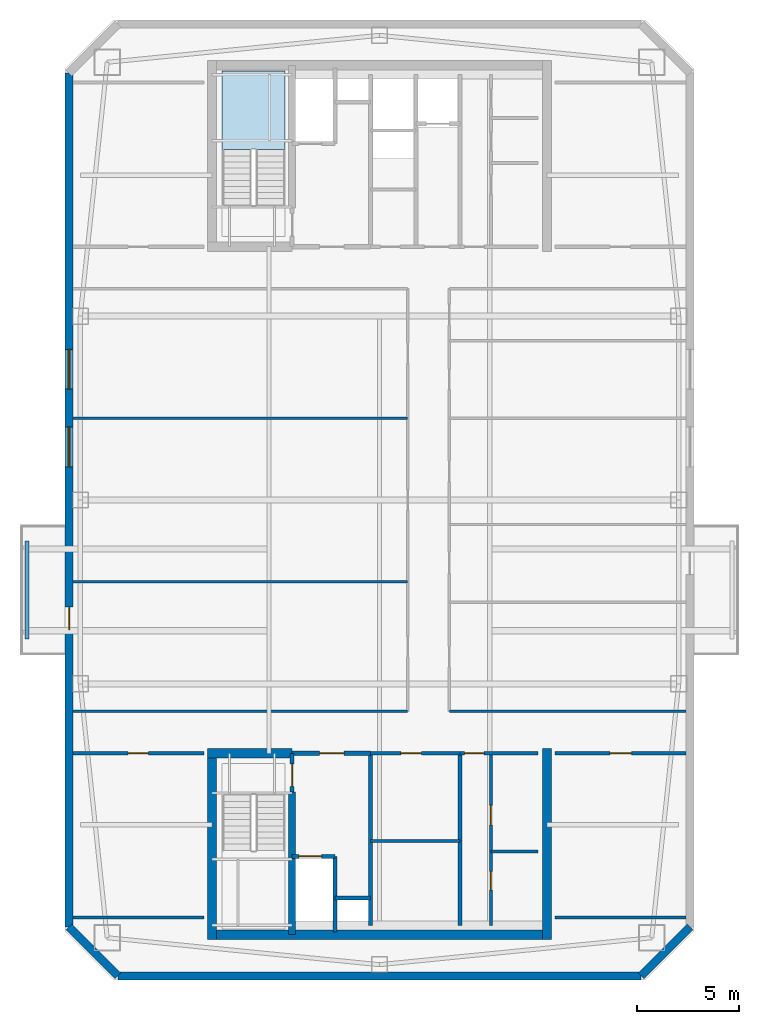
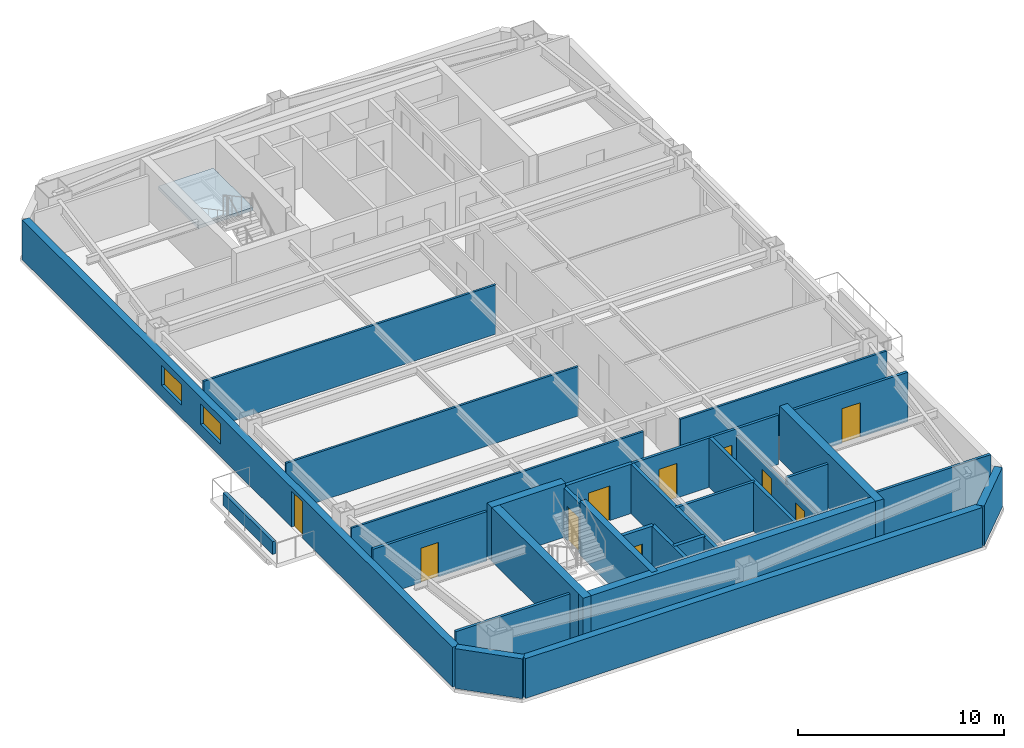
# One storey, part 2 of 6: 30 walls, 10 doors, 2 windows, 1 slab, 12 openings, 1 element without a shape of its own.
"""IFC4 building model written with IfcOpenShell, lengths in metres."""

from ifc_helpers import new_model, si_unit, direction, frame, frame_2d, origin, place, context, subcontext, project, spatial, polyline, rectangle, outline, extrude, material, layer, layer_set, type_object, element, fill, aggregate, save


model = new_model("IFC4")

# Units and contexts
model_context = context("Model", 3, precision=1e-05, world=origin(), true_north=direction((0.0, 1.0)))
body_context = subcontext(model_context, "Body", "Model", "MODEL_VIEW")
ifc_project = project(units=[si_unit("LENGTHUNIT", "METRE"), si_unit("AREAUNIT", "SQUARE_METRE"), si_unit("VOLUMEUNIT", "CUBIC_METRE"), si_unit("PLANEANGLEUNIT", "RADIAN"), si_unit("MASSUNIT", "GRAM", prefix="KILO")], contexts=[model_context])

# Site, building, storey
site_placement = place(None, origin())
site = spatial("IfcSite", under=ifc_project, at=site_placement, CompositionType="ELEMENT")
building_placement = place(site_placement, origin())
building = spatial("IfcBuilding", under=site, at=building_placement, Name="Qiaolan Cultural Towers", CompositionType="ELEMENT")
storey_placement = place(building_placement, frame((0.0, 0.0, 269.60009765625)))
storey = spatial("IfcBuildingStorey", under=building, at=storey_placement, Name="L74", CompositionType="ELEMENT", Elevation=269.60009765625)

# Stair, slab
ifc_material_1 = material(Name="Concrete C45", Category="concrete")
stair_type = type_object("IfcStairType", Name="STR-CORE-1500", PredefinedType="HALF_TURN_STAIR", material=ifc_material_1)
stair_placement = place(storey_placement, origin())
stair = element("IfcStair", 1, at=stair_placement, inside=storey, type_object=stair_type, Name="L74 Smokeproof Exit Stair ST-W2", PredefinedType="HALF_TURN_STAIR")
ifc_material_2 = material(Name="Concrete C45", Category="concrete")
ifc_layer_1 = layer(ifc_material_2, 0.199951171875)
ifc_layer_set_1 = layer_set([ifc_layer_1], Name="Concrete C45")
slab_type = type_object("IfcSlabType", Name="SL-STAIR-LAND", PredefinedType="LANDING", material=ifc_layer_set_1)
slab_placement = place(storey_placement, frame((0.0, 0.0, 1.39990234375)))
slab = element("IfcSlab", 2, at=slab_placement, type_object=slab_type, Name="ST-W2 landing 1", PredefinedType="LANDING", context=body_context, shape_type="SweptSolid", body=[
    extrude(outline(polyline([(25.3798828125, 51.148681640625), (25.3798828125, 55.0), (22.300048828125, 55.0), (22.300048828125, 51.148681640625), (25.3798828125, 51.148681640625)])), origin(), (0.0, 0.0, 1.0), 0.199951171875),
])
aggregate(stair, [slab])

# Walls
ifc_material_3 = material(Name="Concrete C50", Category="concrete")
ifc_layer_2 = layer(ifc_material_3, 0.35009765625)
ifc_layer_set_2 = layer_set([ifc_layer_2], Name="Concrete C50")
wall_type_1 = type_object("IfcWallType", Name="WL-CORE-350", PredefinedType="SHEAR", material=ifc_layer_set_2)
wall_1_placement = place(storey_placement, frame((25.719970703125, 19.699951171875, 0.0), z_axis=(0.0, 0.0, 1.0), x_axis=(0.0, -1.0, 0.0)))
element("IfcWall", 3, at=wall_1_placement, inside=storey, type_object=wall_type_1, Name="L74 T1-CS Stair Core Dividing Web", PredefinedType="SHEAR", context=body_context, shape_type="SweptSolid", body=[
    extrude(rectangle(XDim=6.97998046875, YDim=0.35009765625, at=frame_2d((3.489990234375, 0.0))), origin(), (0.0, 0.0, 1.0), 3.199951171875),
])
ifc_material_4 = material(Name="Concrete C50", Category="concrete")
ifc_layer_3 = layer(ifc_material_4, 0.449951171875)
ifc_layer_set_3 = layer_set([ifc_layer_3], Name="Concrete C50")
wall_type_2 = type_object("IfcWallType", Name="WL-CORE-450", PredefinedType="SHEAR", material=ifc_layer_set_3)
wall_2_placement = place(storey_placement, frame((21.574951171875, 12.719970703125, 0.0), z_axis=(0.0, 0.0, 1.0), x_axis=(1.0, 0.0, 0.0)))
element("IfcWall", 4, at=wall_2_placement, inside=storey, type_object=wall_type_2, Name="L74 T1-CS Outer Core Shear Wall", PredefinedType="SHEAR", context=body_context, shape_type="SweptSolid", body=[
    extrude(rectangle(XDim=16.85009765625, YDim=0.449951171875, at=frame_2d((8.425048828125, 0.0))), origin(), (0.0, 0.0, 1.0), 3.199951171875),
])
for number, where, z_axis, x_axis, name in (
    (5, (21.800048828125, 21.824951171875, 0.0), (0.0, 0.0, 1.0), (0.0, -1.0, 0.0), "L74 T1-CS West Core Shear Wall"),
    (6, (38.199951171875, 21.824951171875, 0.0), (0.0, 0.0, 1.0), (0.0, -1.0, 0.0), "L74 T1-CS East Core Shear Wall"),
):
    element("IfcWall", number, at=place(storey_placement, frame(where, z_axis=z_axis, x_axis=x_axis)), inside=storey, type_object=wall_type_2, Name=name, PredefinedType="SHEAR", context=body_context, shape_type="SweptSolid", body=[
        extrude(rectangle(XDim=9.329833984375, YDim=0.449951171875, at=frame_2d((4.6650390625, 0.0))), origin(), (0.0, 0.0, 1.0), 3.199951171875),
    ])
wall_3_placement = place(storey_placement, frame((21.574951171875, 21.60009765625, 0.0), z_axis=(0.0, 0.0, 1.0), x_axis=(1.0, 0.0, 0.0)))
element("IfcWall", 7, at=wall_3_placement, inside=storey, type_object=wall_type_2, Name="L74 T1-CS Stair Front Shear Wall", PredefinedType="SHEAR", context=body_context, shape_type="SweptSolid", body=[
    extrude(rectangle(XDim=4.14501953125, YDim=0.449951171875, at=frame_2d((2.072509765625, 0.0))), origin(), (0.0, 0.0, 1.0), 3.199951171875),
])

# Wall, openings, door, windows
ifc_material_5 = material(Name="Precast Concrete C50 Honed Stone Pier", Category="masonry")
ifc_layer_4 = layer(ifc_material_5, 0.39990234375)
ifc_layer_set_4 = layer_set([ifc_layer_4], Name="Precast Concrete C50 Honed Stone Pier")
wall_type_3 = type_object("IfcWallType", Name="WL-EXT-PIER-400", PredefinedType="SOLIDWALL", material=ifc_layer_set_4)
wall_4_placement = place(storey_placement, frame((14.800048828125, 13.10009765625, 0.0), z_axis=(0.0, 0.0, 1.0), x_axis=(0.0, 1.0, 0.0)))
wall_4 = element("IfcWall", 8, at=wall_4_placement, inside=storey, type_object=wall_type_3, Name="L74 West Tower Precast Pier Facade Wall F1", PredefinedType="SOLIDWALL", context=body_context, shape_type="SweptSolid", body=[
    extrude(rectangle(XDim=41.7998046875, YDim=0.39990234375, at=frame_2d((20.89990234375, 0.0))), origin(), (0.0, 0.0, 1.0), 2.35986328125),
])
opening_1_placement = place(wall_4_placement, frame((22.52490234375, 0.0, 0.75)))
opening_1 = element("IfcOpeningElement", 9, at=opening_1_placement, cuts=wall_4, Name="Opening W-06", PredefinedType="OPENING", context=body_context, shape_type="SweptSolid", body=[
    extrude(rectangle(XDim=1.949951171875, YDim=1.2099609375, at=frame_2d((0.97509765625, 0.60498046875))), frame((0.0, 0.2099609375, 0.0), z_axis=(0.0, -1.0, 0.0), x_axis=(1.0, 0.0, 0.0)), (0.0, 0.0, 1.0), 0.419921875),
])
opening_2_placement = place(wall_4_placement, frame((26.324951171875, 0.0, 0.75)))
opening_2 = element("IfcOpeningElement", 10, at=opening_2_placement, cuts=wall_4, Name="Opening W-06", PredefinedType="OPENING", context=body_context, shape_type="SweptSolid", body=[
    extrude(rectangle(XDim=1.949951171875, YDim=1.2099609375, at=frame_2d((0.97509765625, 0.60498046875))), frame((0.0, 0.2099609375, 0.0), z_axis=(0.0, -1.0, 0.0), x_axis=(1.0, 0.0, 0.0)), (0.0, 0.0, 1.0), 0.419921875),
])
opening_3_placement = place(wall_4_placement, frame((14.550048828125, 0.0, 0.0)))
opening_3 = element("IfcOpeningElement", 11, at=opening_3_placement, cuts=wall_4, Name="Opening BD-01", PredefinedType="OPENING", context=body_context, shape_type="SweptSolid", body=[
    extrude(rectangle(XDim=1.10009765625, YDim=2.14990234375, at=frame_2d((0.550048828125, 1.074951171875))), frame((0.0, 0.2099609375, 0.0), z_axis=(0.0, -1.0, 0.0), x_axis=(1.0, 0.0, 0.0)), (0.0, 0.0, 1.0), 0.419921875),
])
ifc_material_6 = material(Name="Thermally Broken Aluminium Glazed Terrace Door", Category="aluminium")
door_type_1 = type_object("IfcDoorType", Name="DR-BAL-1100", OperationType="NOTDEFINED", PredefinedType="DOOR", material=ifc_material_6)
door_1_placement = place(opening_3_placement, origin())
door_1 = element("IfcDoor", 12, at=door_1_placement, inside=storey, type_object=door_type_1, Name="L74 T1 West Tree Balcony Door", OperationType="SINGLE_SWING_LEFT", OverallHeight=2.14990234375, OverallWidth=1.10009765625, PredefinedType="DOOR", context=body_context, shape_type="SweptSolid", body=[
    extrude(rectangle(XDim=1.10009765625, YDim=2.14990234375, at=frame_2d((0.550048828125, 1.074951171875))), frame((0.0, 0.02490234375, 0.0), z_axis=(0.0, -1.0, 0.0), x_axis=(1.0, 0.0, 0.0)), (0.0, 0.0, 1.0), 0.050048828125),
])
fill(opening_3, door_1)
ifc_material_7 = material(Name="Thermally Broken Aluminium Triple Low-E Glazing", Category="aluminium")
window_type = type_object("IfcWindowType", Name="WN-CHIC-1950", PartitioningType="SINGLE_PANEL", PredefinedType="WINDOW", material=ifc_material_7)
window_1_placement = place(opening_1_placement, origin())
window_1 = element("IfcWindow", 13, at=window_1_placement, inside=storey, type_object=window_type, Name="L74 T1 W Chicago Bay Window 1", OverallHeight=1.2099609375, OverallWidth=1.949951171875, PartitioningType="TRIPLE_PANEL_VERTICAL", PredefinedType="WINDOW", context=body_context, shape_type="SweptSolid", body=[
    extrude(rectangle(XDim=1.949951171875, YDim=1.2099609375, at=frame_2d((0.97509765625, 0.60498046875))), frame((0.0, 0.030029296875, 0.0), z_axis=(0.0, -1.0, 0.0), x_axis=(1.0, 0.0, 0.0)), (0.0, 0.0, 1.0), 0.06005859375),
])
fill(opening_1, window_1)
window_2_placement = place(opening_2_placement, origin())
window_2 = element("IfcWindow", 14, at=window_2_placement, inside=storey, type_object=window_type, Name="L74 T1 W Chicago Bay Window 2", OverallHeight=1.2099609375, OverallWidth=1.949951171875, PartitioningType="TRIPLE_PANEL_VERTICAL", PredefinedType="WINDOW", context=body_context, shape_type="SweptSolid", body=[
    extrude(rectangle(XDim=1.949951171875, YDim=1.2099609375, at=frame_2d((0.97509765625, 0.60498046875))), frame((0.0, 0.030029296875, 0.0), z_axis=(0.0, -1.0, 0.0), x_axis=(1.0, 0.0, 0.0)), (0.0, 0.0, 1.0), 0.06005859375),
])
fill(opening_2, window_2)

# Walls
wall_5_placement = place(storey_placement, frame((45.199951171875, 13.10009765625, 0.0), z_axis=(0.0, 0.0, 1.0), x_axis=(-0.707070815327, -0.707142745217, 0.0)))
element("IfcWall", 15, at=wall_5_placement, inside=storey, type_object=wall_type_3, Name="L74 West Tower Precast Pier Facade Wall F6", PredefinedType="SOLIDWALL", context=body_context, shape_type="SweptSolid", body=[
    extrude(rectangle(XDim=3.39404296875, YDim=0.39990234375, at=frame_2d((1.697021484375, 0.0))), origin(), (0.0, 0.0, 1.0), 2.35986328125),
])
wall_6_placement = place(storey_placement, frame((42.800048828125, 10.699951171875, 0.0), z_axis=(0.0, 0.0, 1.0), x_axis=(-1.0, 0.0, 0.0)))
element("IfcWall", 16, at=wall_6_placement, inside=storey, type_object=wall_type_3, Name="L74 West Tower Precast Pier Facade Wall F7", PredefinedType="SOLIDWALL", context=body_context, shape_type="SweptSolid", body=[
    extrude(rectangle(XDim=25.60009765625, YDim=0.39990234375, at=frame_2d((12.800048828125, 0.0))), origin(), (0.0, 0.0, 1.0), 2.35986328125),
])
wall_7_placement = place(storey_placement, frame((17.199951171875, 10.699951171875, 0.0), z_axis=(0.0, 0.0, 1.0), x_axis=(-0.707070815327, 0.707142745217, 0.0)))
element("IfcWall", 17, at=wall_7_placement, inside=storey, type_object=wall_type_3, Name="L74 West Tower Precast Pier Facade Wall F8", PredefinedType="SOLIDWALL", context=body_context, shape_type="SweptSolid", body=[
    extrude(rectangle(XDim=3.39404296875, YDim=0.39990234375, at=frame_2d((1.697021484375, 0.0))), origin(), (0.0, 0.0, 1.0), 2.35986328125),
])

# Wall, opening, door
ifc_material_8 = material(Name="Concrete C35 Fire Wall", Category="concrete")
ifc_layer_5 = layer(ifc_material_8, 0.199951171875)
ifc_layer_set_5 = layer_set([ifc_layer_5], Name="Concrete C35 Fire Wall")
wall_type_4 = type_object("IfcWallType", Name="WL-FIRE-200", PredefinedType="PARTITIONING", material=ifc_layer_set_5)
wall_8_placement = place(storey_placement, frame((25.719970703125, 21.60009765625, 0.0), z_axis=(0.0, 0.0, 1.0), x_axis=(0.0, -1.0, 0.0)))
wall_8 = element("IfcWall", 18, at=wall_8_placement, inside=storey, type_object=wall_type_4, Name="L74 T1-CS Smokeproof Stair Entry Wall", PredefinedType="PARTITIONING", context=body_context, shape_type="SweptSolid", body=[
    extrude(rectangle(XDim=1.900146484375, YDim=0.199951171875, at=frame_2d((0.9501953125, 0.0))), origin(), (0.0, 0.0, 1.0), 2.9248046875),
])
opening_4_placement = place(wall_8_placement, frame((0.52001953125, 0.0, 0.0)))
opening_4 = element("IfcOpeningElement", 19, at=opening_4_placement, cuts=wall_8, Name="Opening FD-04", PredefinedType="OPENING", context=body_context, shape_type="SweptSolid", body=[
    extrude(rectangle(XDim=1.10009765625, YDim=2.050048828125, at=frame_2d((0.550048828125, 1.02490234375))), frame((0.0, 0.10986328125, 0.0), z_axis=(0.0, -1.0, 0.0), x_axis=(1.0, 0.0, 0.0)), (0.0, 0.0, 1.0), 0.219970703125),
])
ifc_material_9 = material(Name="Galvanized Steel Command Fire Door", Category="steel")
door_type_2 = type_object("IfcDoorType", Name="DR-FD90-1100", OperationType="NOTDEFINED", PredefinedType="DOOR", material=ifc_material_9)
door_2_placement = place(opening_4_placement, origin())
door_2 = element("IfcDoor", 20, at=door_2_placement, inside=storey, type_object=door_type_2, Name="L74 ST-W1 Smokeproof Stair Fire Door", OperationType="SINGLE_SWING_LEFT", OverallHeight=2.050048828125, OverallWidth=1.10009765625, PredefinedType="DOOR", context=body_context, shape_type="SweptSolid", body=[
    extrude(rectangle(XDim=1.10009765625, YDim=2.050048828125, at=frame_2d((0.550048828125, 1.02490234375))), frame((0.0, 0.02490234375, 0.0), z_axis=(0.0, -1.0, 0.0), x_axis=(1.0, 0.0, 0.0)), (0.0, 0.0, 1.0), 0.050048828125),
])
fill(opening_4, door_2)

# Wall
wall_9_placement = place(storey_placement, frame((29.550048828125, 21.60009765625, 0.0), z_axis=(0.0, 0.0, 1.0), x_axis=(0.0, -1.0, 0.0)))
element("IfcWall", 21, at=wall_9_placement, inside=storey, type_object=wall_type_4, Name="L74 T1-CS Firefighting Zone Wall", PredefinedType="PARTITIONING", context=body_context, shape_type="SweptSolid", body=[
    extrude(rectangle(XDim=8.43017578125, YDim=0.199951171875, at=frame_2d((4.215087890625, 0.0))), origin(), (0.0, 0.0, 1.0), 2.9248046875),
])

# Wall, opening, door
wall_10_placement = place(storey_placement, frame((25.719970703125, 21.60009765625, 0.0), z_axis=(0.0, 0.0, 1.0), x_axis=(1.0, 0.0, 0.0)))
wall_10 = element("IfcWall", 22, at=wall_10_placement, inside=storey, type_object=wall_type_4, Name="L74 T1-CS Firefighting Lobby Front Wall", PredefinedType="PARTITIONING", context=body_context, shape_type="SweptSolid", body=[
    extrude(rectangle(XDim=3.830078125, YDim=0.199951171875, at=frame_2d((1.9150390625, 0.0))), origin(), (0.0, 0.0, 1.0), 2.9248046875),
])
opening_5_placement = place(wall_10_placement, frame((1.35009765625, 0.0, 0.0)))
opening_5 = element("IfcOpeningElement", 23, at=opening_5_placement, cuts=wall_10, Name="Opening FD-03", PredefinedType="OPENING", context=body_context, shape_type="SweptSolid", body=[
    extrude(rectangle(XDim=1.199951171875, YDim=2.050048828125, at=frame_2d((0.60009765625, 1.02490234375))), frame((0.0, 0.10986328125, 0.0), z_axis=(0.0, -1.0, 0.0), x_axis=(1.0, 0.0, 0.0)), (0.0, 0.0, 1.0), 0.219970703125),
])
ifc_material_10 = material(Name="Galvanized Steel Smokeproof Lobby Fire Door", Category="steel")
door_type_3 = type_object("IfcDoorType", Name="DR-FD90-1200", OperationType="NOTDEFINED", PredefinedType="DOOR", material=ifc_material_10)
door_3_placement = place(opening_5_placement, origin())
door_3 = element("IfcDoor", 24, at=door_3_placement, inside=storey, type_object=door_type_3, Name="L74 FFL-W1 Firefighting Lobby Fire Door", OperationType="SINGLE_SWING_LEFT", OverallHeight=2.050048828125, OverallWidth=1.199951171875, PredefinedType="DOOR", context=body_context, shape_type="SweptSolid", body=[
    extrude(rectangle(XDim=1.199951171875, YDim=2.050048828125, at=frame_2d((0.60009765625, 1.02490234375))), frame((0.0, 0.02490234375, 0.0), z_axis=(0.0, -1.0, 0.0), x_axis=(1.0, 0.0, 0.0)), (0.0, 0.0, 1.0), 0.050048828125),
])
fill(opening_5, door_3)

wall_11_placement = place(storey_placement, frame((25.719970703125, 16.550048828125, 0.0), z_axis=(0.0, 0.0, 1.0), x_axis=(1.0, 0.0, 0.0)))
wall_11 = element("IfcWall", 25, at=wall_11_placement, inside=storey, type_object=wall_type_4, Name="L74 T1-CS Firefighting Shaft Front Wall", PredefinedType="PARTITIONING", context=body_context, shape_type="SweptSolid", body=[
    extrude(rectangle(XDim=2.10009765625, YDim=0.199951171875, at=frame_2d((1.050048828125, 0.0))), origin(), (0.0, 0.0, 1.0), 2.9248046875),
])
opening_6_placement = place(wall_11_placement, frame((0.35009765625, 0.0, 0.0)))
opening_6 = element("IfcOpeningElement", 26, at=opening_6_placement, cuts=wall_11, Name="Opening LD-01", PredefinedType="OPENING", context=body_context, shape_type="SweptSolid", body=[
    extrude(rectangle(XDim=1.10009765625, YDim=2.050048828125, at=frame_2d((0.550048828125, 1.02490234375))), frame((0.0, 0.10986328125, 0.0), z_axis=(0.0, -1.0, 0.0), x_axis=(1.0, 0.0, 0.0)), (0.0, 0.0, 1.0), 0.219970703125),
])
ifc_material_11 = material(Name="Brushed Stainless Steel S30408 Centre-Parting Lift Landing Door", Category="steel")
door_type_4 = type_object("IfcDoorType", Name="DR-LIFT-1100", OperationType="NOTDEFINED", PredefinedType="DOOR", material=ifc_material_11)
door_4_placement = place(opening_6_placement, origin())
door_4 = element("IfcDoor", 27, at=door_4_placement, inside=storey, type_object=door_type_4, Name="L74 FFL-W1 Firefighting Lift Landing Door", OperationType="DOUBLE_DOOR_SLIDING", OverallHeight=2.050048828125, OverallWidth=1.10009765625, PredefinedType="DOOR", context=body_context, shape_type="SweptSolid", body=[
    extrude(rectangle(XDim=1.10009765625, YDim=2.050048828125, at=frame_2d((0.550048828125, 1.02490234375))), frame((0.0, 0.02490234375, 0.0), z_axis=(0.0, -1.0, 0.0), x_axis=(1.0, 0.0, 0.0)), (0.0, 0.0, 1.0), 0.050048828125),
])
fill(opening_6, door_4)

# Walls
wall_12_placement = place(storey_placement, frame((27.820068359375, 16.550048828125, 0.0), z_axis=(0.0, 0.0, 1.0), x_axis=(0.0, -1.0, 0.0)))
element("IfcWall", 28, at=wall_12_placement, inside=storey, type_object=wall_type_4, Name="L74 T1-CS Firefighting Hoistway East Wall", PredefinedType="PARTITIONING", context=body_context, shape_type="SweptSolid", body=[
    extrude(rectangle(XDim=3.699951171875, YDim=0.199951171875, at=frame_2d((1.85009765625, 0.0))), origin(), (0.0, 0.0, 1.0), 2.9248046875),
])
wall_13_placement = place(storey_placement, frame((27.820068359375, 14.52001953125, 0.0), z_axis=(0.0, 0.0, 1.0), x_axis=(1.0, 0.0, 0.0)))
element("IfcWall", 29, at=wall_13_placement, inside=storey, type_object=wall_type_4, Name="L74 T1-CS Pressurization Shaft Front Wall", PredefinedType="PARTITIONING", context=body_context, shape_type="SweptSolid", body=[
    extrude(rectangle(XDim=1.72998046875, YDim=0.199951171875, at=frame_2d((0.864990234375, 0.0))), origin(), (0.0, 0.0, 1.0), 2.9248046875),
])
wall_14_placement = place(storey_placement, frame((33.949951171875, 21.60009765625, 0.0), z_axis=(0.0, 0.0, 1.0), x_axis=(0.0, -1.0, 0.0)))
element("IfcWall", 30, at=wall_14_placement, inside=storey, type_object=wall_type_4, Name="L74 T1-CS Lift Core East Wall", PredefinedType="PARTITIONING", context=body_context, shape_type="SweptSolid", body=[
    extrude(rectangle(XDim=8.43017578125, YDim=0.199951171875, at=frame_2d((4.215087890625, 0.0))), origin(), (0.0, 0.0, 1.0), 2.9248046875),
])
ifc_material_12 = material(Name="Gypsum Stud Acoustic Partition", Category="gypsum")
ifc_layer_6 = layer(ifc_material_12, 0.1201171875)
ifc_layer_set_6 = layer_set([ifc_layer_6], Name="Gypsum Stud Acoustic Partition")
wall_type_5 = type_object("IfcWallType", Name="WL-PART-120", PredefinedType="PARTITIONING", material=ifc_layer_set_6)
wall_15_placement = place(storey_placement, frame((15.0, 23.64990234375, 0.0), z_axis=(0.0, 0.0, 1.0), x_axis=(1.0, 0.0, 0.0)))
element("IfcWall", 31, at=wall_15_placement, inside=storey, type_object=wall_type_5, Name="L74 T1 South Corridor Left Wall", PredefinedType="PARTITIONING", context=body_context, shape_type="SweptSolid", body=[
    extrude(rectangle(XDim=16.375, YDim=0.1201171875, at=frame_2d((8.1875, 0.0))), origin(), (0.0, 0.0, 1.0), 2.9248046875),
])
wall_16_placement = place(storey_placement, frame((33.425048828125, 23.64990234375, 0.0), z_axis=(0.0, 0.0, 1.0), x_axis=(1.0, 0.0, 0.0)))
element("IfcWall", 32, at=wall_16_placement, inside=storey, type_object=wall_type_5, Name="L74 T1 South Corridor Right Wall", PredefinedType="PARTITIONING", context=body_context, shape_type="SweptSolid", body=[
    extrude(rectangle(XDim=11.574951171875, YDim=0.1201171875, at=frame_2d((5.78759765625, 0.0))), origin(), (0.0, 0.0, 1.0), 2.9248046875),
])
for number, where, z_axis, x_axis, name in (
    (33, (15.0, 30.0, 0.0), (0.0, 0.0, 1.0), (1.0, 0.0, 0.0), "L74 T1 West Partition 1"),
    (34, (15.0, 38.0, 0.0), (0.0, 0.0, 1.0), (1.0, 0.0, 0.0), "L74 T1 West Partition 2"),
):
    element("IfcWall", number, at=place(storey_placement, frame(where, z_axis=z_axis, x_axis=x_axis)), inside=storey, type_object=wall_type_5, Name=name, PredefinedType="PARTITIONING", context=body_context, shape_type="SweptSolid", body=[
        extrude(rectangle(XDim=16.375, YDim=0.1201171875, at=frame_2d((8.1875, 0.0))), origin(), (0.0, 0.0, 1.0), 2.9248046875),
    ])

# Wall, opening, door
ifc_material_13 = material(Name="Autoclaved Aerated Concrete Block B06", Category="concrete")
ifc_layer_7 = layer(ifc_material_13, 0.14990234375)
ifc_layer_set_7 = layer_set([ifc_layer_7], Name="Autoclaved Aerated Concrete Block B06")
wall_type_6 = type_object("IfcWallType", Name="WL-PART-150", PredefinedType="PARTITIONING", material=ifc_layer_set_7)
wall_17_placement = place(storey_placement, frame((29.550048828125, 21.60009765625, 0.0), z_axis=(0.0, 0.0, 1.0), x_axis=(1.0, 0.0, 0.0)))
wall_17 = element("IfcWall", 35, at=wall_17_placement, inside=storey, type_object=wall_type_6, Name="L74 T1-CS Reclaimed Core Room Front Wall", PredefinedType="PARTITIONING", context=body_context, shape_type="SweptSolid", body=[
    extrude(rectangle(XDim=4.39990234375, YDim=0.14990234375, at=frame_2d((2.199951171875, 0.0))), origin(), (0.0, 0.0, 1.0), 2.9248046875),
])
opening_7_placement = place(wall_17_placement, frame((1.5, 0.0, 0.0)))
opening_7 = element("IfcOpeningElement", 36, at=opening_7_placement, cuts=wall_17, Name="Opening ID-04", PredefinedType="OPENING", context=body_context, shape_type="SweptSolid", body=[
    extrude(rectangle(XDim=1.0, YDim=2.050048828125, at=frame_2d((0.5, 1.02490234375))), frame((0.0, 0.0849609375, 0.0), z_axis=(0.0, -1.0, 0.0), x_axis=(1.0, 0.0, 0.0)), (0.0, 0.0, 1.0), 0.169921875),
])
ifc_material_14 = material(Name="Oak Veneer Acoustic Office Door", Category="timber")
door_type_5 = type_object("IfcDoorType", Name="DR-INT-1000", OperationType="NOTDEFINED", PredefinedType="DOOR", material=ifc_material_14)
door_5_placement = place(opening_7_placement, origin())
door_5 = element("IfcDoor", 37, at=door_5_placement, inside=storey, type_object=door_type_5, Name="L74 Focus Pod Room Door", OperationType="SINGLE_SWING_LEFT", OverallHeight=2.050048828125, OverallWidth=1.0, PredefinedType="DOOR", context=body_context, shape_type="SweptSolid", body=[
    extrude(rectangle(XDim=1.0, YDim=2.050048828125, at=frame_2d((0.5, 1.02490234375))), frame((0.0, 0.02490234375, 0.0), z_axis=(0.0, -1.0, 0.0), x_axis=(1.0, 0.0, 0.0)), (0.0, 0.0, 1.0), 0.050048828125),
])
fill(opening_7, door_5)

# Wall
wall_18_placement = place(storey_placement, frame((29.550048828125, 17.300048828125, 0.0), z_axis=(0.0, 0.0, 1.0), x_axis=(1.0, 0.0, 0.0)))
element("IfcWall", 38, at=wall_18_placement, inside=storey, type_object=wall_type_6, Name="L74 T1-CS Reclaimed Room Subdivider", PredefinedType="PARTITIONING", context=body_context, shape_type="SweptSolid", body=[
    extrude(rectangle(XDim=4.39990234375, YDim=0.14990234375, at=frame_2d((2.199951171875, 0.0))), origin(), (0.0, 0.0, 1.0), 2.9248046875),
])

# Wall, opening, door
wall_19_placement = place(storey_placement, frame((33.949951171875, 21.60009765625, 0.0), z_axis=(0.0, 0.0, 1.0), x_axis=(1.0, 0.0, 0.0)))
wall_19 = element("IfcWall", 39, at=wall_19_placement, inside=storey, type_object=wall_type_6, Name="L74 T1-CS Sanitary Core Front Wall", PredefinedType="PARTITIONING", context=body_context, shape_type="SweptSolid", body=[
    extrude(rectangle(XDim=3.800048828125, YDim=0.14990234375, at=frame_2d((1.89990234375, 0.0))), origin(), (0.0, 0.0, 1.0), 2.9248046875),
])
opening_8_placement = place(wall_19_placement, frame((0.219970703125, 0.0, 0.0)))
opening_8 = element("IfcOpeningElement", 40, at=opening_8_placement, cuts=wall_19, Name="Opening ID-05", PredefinedType="OPENING", context=body_context, shape_type="SweptSolid", body=[
    extrude(rectangle(XDim=0.949951171875, YDim=2.050048828125, at=frame_2d((0.47509765625, 1.02490234375))), frame((0.0, 0.0849609375, 0.0), z_axis=(0.0, -1.0, 0.0), x_axis=(1.0, 0.0, 0.0)), (0.0, 0.0, 1.0), 0.169921875),
])
ifc_material_15 = material(Name="Fire-Rated Laminate Accessible Core Door", Category="timber")
door_type_6 = type_object("IfcDoorType", Name="DR-INT-950", OperationType="NOTDEFINED", PredefinedType="DOOR", material=ifc_material_15)
door_6_placement = place(opening_8_placement, origin())
door_6 = element("IfcDoor", 41, at=door_6_placement, inside=storey, type_object=door_type_6, Name="L74 Sanitary Lobby Door", OperationType="SINGLE_SWING_LEFT", OverallHeight=2.050048828125, OverallWidth=0.949951171875, PredefinedType="DOOR", context=body_context, shape_type="SweptSolid", body=[
    extrude(rectangle(XDim=0.949951171875, YDim=2.050048828125, at=frame_2d((0.47509765625, 1.02490234375))), frame((0.0, 0.02490234375, 0.0), z_axis=(0.0, -1.0, 0.0), x_axis=(1.0, 0.0, 0.0)), (0.0, 0.0, 1.0), 0.050048828125),
])
fill(opening_8, door_6)

# Wall, openings, doors
wall_20_placement = place(storey_placement, frame((35.449951171875, 21.60009765625, 0.0), z_axis=(0.0, 0.0, 1.0), x_axis=(0.0, -1.0, 0.0)))
wall_20 = element("IfcWall", 42, at=wall_20_placement, inside=storey, type_object=wall_type_6, Name="L74 T1-CS Washroom Split Wall", PredefinedType="PARTITIONING", context=body_context, shape_type="SweptSolid", body=[
    extrude(rectangle(XDim=8.43017578125, YDim=0.14990234375, at=frame_2d((4.215087890625, 0.0))), origin(), (0.0, 0.0, 1.0), 2.514892578125),
])
opening_9_placement = place(wall_20_placement, frame((2.550048828125, 0.0, 0.0)))
opening_9 = element("IfcOpeningElement", 43, at=opening_9_placement, cuts=wall_20, Name="Opening ID-05", PredefinedType="OPENING", context=body_context, shape_type="SweptSolid", body=[
    extrude(rectangle(XDim=0.949951171875, YDim=2.050048828125, at=frame_2d((0.47509765625, 1.02490234375))), frame((0.0, 0.0849609375, 0.0), z_axis=(0.0, -1.0, 0.0), x_axis=(1.0, 0.0, 0.0)), (0.0, 0.0, 1.0), 0.169921875),
])
opening_10_placement = place(wall_20_placement, frame((5.800048828125, 0.0, 0.0)))
opening_10 = element("IfcOpeningElement", 44, at=opening_10_placement, cuts=wall_20, Name="Opening ID-06", PredefinedType="OPENING", context=body_context, shape_type="SweptSolid", body=[
    extrude(rectangle(XDim=0.89990234375, YDim=2.050048828125, at=frame_2d((0.449951171875, 1.02490234375))), frame((0.0, 0.0849609375, 0.0), z_axis=(0.0, -1.0, 0.0), x_axis=(1.0, 0.0, 0.0)), (0.0, 0.0, 1.0), 0.169921875),
])
ifc_material_16 = material(Name="Fire-Rated Laminate Core Service Door", Category="timber")
door_type_7 = type_object("IfcDoorType", Name="DR-INT-900", OperationType="NOTDEFINED", PredefinedType="DOOR", material=ifc_material_16)
door_7_placement = place(opening_10_placement, origin())
door_7 = element("IfcDoor", 45, at=door_7_placement, inside=storey, type_object=door_type_7, Name="L74 First-Aid Room Door", OperationType="SINGLE_SWING_RIGHT", OverallHeight=2.050048828125, OverallWidth=0.89990234375, PredefinedType="DOOR", context=body_context, shape_type="SweptSolid", body=[
    extrude(rectangle(XDim=0.89990234375, YDim=2.050048828125, at=frame_2d((0.449951171875, 1.02490234375))), frame((0.0, 0.02490234375, 0.0), z_axis=(0.0, -1.0, 0.0), x_axis=(1.0, 0.0, 0.0)), (0.0, 0.0, 1.0), 0.050048828125),
])
fill(opening_10, door_7)
door_8_placement = place(opening_9_placement, origin())
door_8 = element("IfcDoor", 46, at=door_8_placement, inside=storey, type_object=door_type_6, Name="L74 Accessible Washroom Door", OperationType="SINGLE_SWING_LEFT", OverallHeight=2.050048828125, OverallWidth=0.949951171875, PredefinedType="DOOR", context=body_context, shape_type="SweptSolid", body=[
    extrude(rectangle(XDim=0.949951171875, YDim=2.050048828125, at=frame_2d((0.47509765625, 1.02490234375))), frame((0.0, 0.02490234375, 0.0), z_axis=(0.0, -1.0, 0.0), x_axis=(1.0, 0.0, 0.0)), (0.0, 0.0, 1.0), 0.050048828125),
])
fill(opening_9, door_8)

# Walls
wall_21_placement = place(storey_placement, frame((35.449951171875, 16.800048828125, 0.0), z_axis=(0.0, 0.0, 1.0), x_axis=(1.0, 0.0, 0.0)))
element("IfcWall", 47, at=wall_21_placement, inside=storey, type_object=wall_type_6, Name="L74 T1-CS First-Aid Wall", PredefinedType="PARTITIONING", context=body_context, shape_type="SweptSolid", body=[
    extrude(rectangle(XDim=2.300048828125, YDim=0.14990234375, at=frame_2d((1.14990234375, 0.0))), origin(), (0.0, 0.0, 1.0), 2.9248046875),
])
wall_22_placement = place(storey_placement, frame((15.0, 13.550048828125, 0.0), z_axis=(0.0, 0.0, 1.0), x_axis=(1.0, 0.0, 0.0)))
element("IfcWall", 48, at=wall_22_placement, inside=storey, type_object=wall_type_6, Name="L74 T1 Flank Wall FLK-SW", PredefinedType="PARTITIONING", context=body_context, shape_type="SweptSolid", body=[
    extrude(rectangle(XDim=6.39990234375, YDim=0.14990234375, at=frame_2d((3.199951171875, 0.0))), origin(), (0.0, 0.0, 1.0), 2.9248046875),
])

# Wall, opening, door
wall_23_placement = place(storey_placement, frame((15.0, 21.60009765625, 0.0), z_axis=(0.0, 0.0, 1.0), x_axis=(1.0, 0.0, 0.0)))
wall_23 = element("IfcWall", 49, at=wall_23_placement, inside=storey, type_object=wall_type_6, Name="L74 T1 Flank Front FLK-SW", PredefinedType="PARTITIONING", context=body_context, shape_type="SweptSolid", body=[
    extrude(rectangle(XDim=6.39990234375, YDim=0.14990234375, at=frame_2d((3.199951171875, 0.0))), origin(), (0.0, 0.0, 1.0), 2.9248046875),
])
opening_11_placement = place(wall_23_placement, frame((2.68798828125, 0.0, 0.0)))
opening_11 = element("IfcOpeningElement", 50, at=opening_11_placement, cuts=wall_23, Name="Opening ID-04", PredefinedType="OPENING", context=body_context, shape_type="SweptSolid", body=[
    extrude(rectangle(XDim=1.0, YDim=2.050048828125, at=frame_2d((0.5, 1.02490234375))), frame((0.0, 0.0849609375, 0.0), z_axis=(0.0, -1.0, 0.0), x_axis=(1.0, 0.0, 0.0)), (0.0, 0.0, 1.0), 0.169921875),
])
door_9_placement = place(opening_11_placement, origin())
door_9 = element("IfcDoor", 51, at=door_9_placement, inside=storey, type_object=door_type_5, Name="L74 T1 Corner Studio Door", OperationType="SINGLE_SWING_LEFT", OverallHeight=2.050048828125, OverallWidth=1.0, PredefinedType="DOOR", context=body_context, shape_type="SweptSolid", body=[
    extrude(rectangle(XDim=1.0, YDim=2.050048828125, at=frame_2d((0.5, 1.02490234375))), frame((0.0, 0.02490234375, 0.0), z_axis=(0.0, -1.0, 0.0), x_axis=(1.0, 0.0, 0.0)), (0.0, 0.0, 1.0), 0.050048828125),
])
fill(opening_11, door_9)

# Wall
wall_24_placement = place(storey_placement, frame((38.60009765625, 13.550048828125, 0.0), z_axis=(0.0, 0.0, 1.0), x_axis=(1.0, 0.0, 0.0)))
element("IfcWall", 52, at=wall_24_placement, inside=storey, type_object=wall_type_6, Name="L74 T1 Flank Wall FLK-SE", PredefinedType="PARTITIONING", context=body_context, shape_type="SweptSolid", body=[
    extrude(rectangle(XDim=6.39990234375, YDim=0.14990234375, at=frame_2d((3.199951171875, 0.0))), origin(), (0.0, 0.0, 1.0), 2.9248046875),
])

# Wall, opening, door
wall_25_placement = place(storey_placement, frame((38.60009765625, 21.60009765625, 0.0), z_axis=(0.0, 0.0, 1.0), x_axis=(1.0, 0.0, 0.0)))
wall_25 = element("IfcWall", 53, at=wall_25_placement, inside=storey, type_object=wall_type_6, Name="L74 T1 Flank Front FLK-SE", PredefinedType="PARTITIONING", context=body_context, shape_type="SweptSolid", body=[
    extrude(rectangle(XDim=6.39990234375, YDim=0.14990234375, at=frame_2d((3.199951171875, 0.0))), origin(), (0.0, 0.0, 1.0), 2.9248046875),
])
opening_12_placement = place(wall_25_placement, frame((2.68798828125, 0.0, 0.0)))
opening_12 = element("IfcOpeningElement", 54, at=opening_12_placement, cuts=wall_25, Name="Opening ID-07", PredefinedType="OPENING", context=body_context, shape_type="SweptSolid", body=[
    extrude(rectangle(XDim=1.050048828125, YDim=2.050048828125, at=frame_2d((0.52490234375, 1.02490234375))), frame((0.0, 0.0849609375, 0.0), z_axis=(0.0, -1.0, 0.0), x_axis=(1.0, 0.0, 0.0)), (0.0, 0.0, 1.0), 0.169921875),
])
ifc_material_17 = material(Name="Oak Veneer Consultation Door", Category="timber")
door_type_8 = type_object("IfcDoorType", Name="DR-INT-1050", OperationType="NOTDEFINED", PredefinedType="DOOR", material=ifc_material_17)
door_10_placement = place(opening_12_placement, origin())
door_10 = element("IfcDoor", 55, at=door_10_placement, inside=storey, type_object=door_type_8, Name="L74 T1 Corner Studio Door", OperationType="SINGLE_SWING_LEFT", OverallHeight=2.050048828125, OverallWidth=1.050048828125, PredefinedType="DOOR", context=body_context, shape_type="SweptSolid", body=[
    extrude(rectangle(XDim=1.050048828125, YDim=2.050048828125, at=frame_2d((0.52490234375, 1.02490234375))), frame((0.0, 0.02490234375, 0.0), z_axis=(0.0, -1.0, 0.0), x_axis=(1.0, 0.0, 0.0)), (0.0, 0.0, 1.0), 0.050048828125),
])
fill(opening_12, door_10)

# Wall
ifc_material_18 = material(Name="Precast Concrete C45 Tree Planter Upstand", Category="concrete")
ifc_layer_8 = layer(ifc_material_18, 0.199951171875)
ifc_layer_set_8 = layer_set([ifc_layer_8], Name="Precast Concrete C45 Tree Planter Upstand")
wall_type_7 = type_object("IfcWallType", Name="WL-PLANTER-200", PredefinedType="PARAPET", material=ifc_layer_set_8)
wall_26_placement = place(storey_placement, frame((12.75, 27.199951171875, 0.0), z_axis=(0.0, 0.0, 1.0), x_axis=(0.0, 1.0, 0.0)))
element("IfcWall", 56, at=wall_26_placement, inside=storey, type_object=wall_type_7, Name="L74 T1 Tree Balcony Soil Planter Box W", PredefinedType="PARAPET", context=body_context, shape_type="SweptSolid", body=[
    extrude(rectangle(XDim=4.800048828125, YDim=0.199951171875, at=frame_2d((2.39990234375, 0.0))), origin(), (0.0, 0.0, 1.0), 0.75),
])

save(model, "model.ifc")
